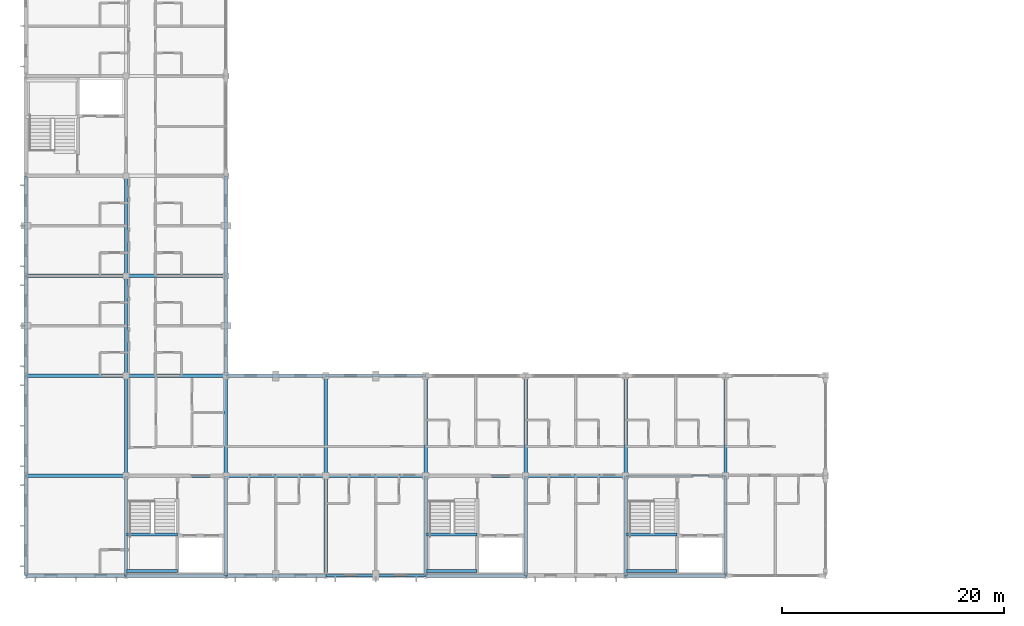
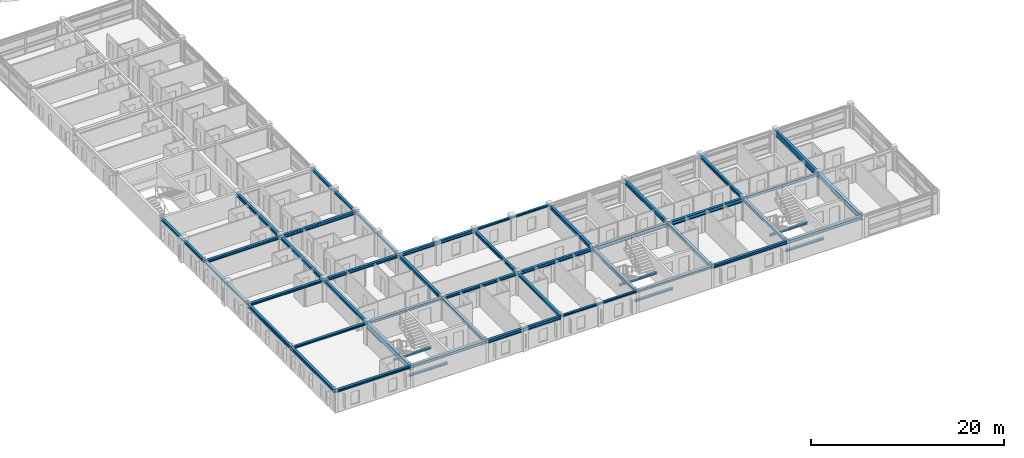
# One storey, part 8 of 37: 48 beams.
"""IFC4 building model written with IfcOpenShell, lengths in metres."""

from ifc_helpers import new_model, si_unit, direction, frame, origin, origin_2d, place, context, subcontext, project, spatial, i_section, extrude, material, material_profile, profile_set, type_object, element, save


model = new_model("IFC4")

# Units and contexts
model_context = context("Model", 3, precision=1e-05, world=origin(), true_north=direction((0.0, 1.0)))
body_context = subcontext(model_context, "Body", "Model", "MODEL_VIEW")
ifc_project = project(units=[si_unit("LENGTHUNIT", "METRE"), si_unit("AREAUNIT", "SQUARE_METRE"), si_unit("VOLUMEUNIT", "CUBIC_METRE"), si_unit("PLANEANGLEUNIT", "RADIAN"), si_unit("MASSUNIT", "GRAM", prefix="KILO")], contexts=[model_context])

# Site, building, storey
site_placement = place(None, origin())
site = spatial("IfcSite", under=ifc_project, at=site_placement, CompositionType="ELEMENT")
building_placement = place(site_placement, origin())
building = spatial("IfcBuilding", under=site, at=building_placement, Name="Palais des Congres Ocreval", CompositionType="ELEMENT")
storey_placement = place(building_placement, frame((0.0, 0.0, 11.52001953125)))
storey = spatial("IfcBuildingStorey", under=building, at=storey_placement, Name="L03", CompositionType="ELEMENT", Elevation=11.52001953125)

# Beams
ifc_material = material(Name="Steel S355", Category="steel")
ifc_material_profile_1 = material_profile(ifc_material, i_section(OverallWidth=0.169921875, OverallDepth=0.360107421875, WebThickness=0.008056640625, FlangeThickness=0.0126953125, at=origin_2d()), Name="IPE 360")
ifc_profile_set_1 = profile_set([ifc_material_profile_1], Name="Steel S355")
beam_type_1 = type_object("IfcBeamType", Name="Composite Beam IPE 360 Steel S355", PredefinedType="BEAM", material=ifc_profile_set_1)
beam_1_placement = place(storey_placement, frame((54.02001953125, 9.0, 2.60009765625), z_axis=(1.0, 0.0, 0.0), x_axis=(0.0, 1.0, 0.0)))
element("IfcBeam", 1, at=beam_1_placement, inside=storey, type_object=beam_type_1, Name="Beam B01 L03", PredefinedType="BEAM", context=body_context, shape_type="SweptSolid", body=[
    extrude(i_section(OverallWidth=0.169921875, OverallDepth=0.360107421875, WebThickness=0.008056640625, FlangeThickness=0.0126953125, at=origin_2d()), origin(), (0.0, 0.0, 1.0), 8.9599609375),
])
ifc_material_profile_2 = material_profile(ifc_material, i_section(OverallWidth=0.260009765625, OverallDepth=0.260009765625, WebThickness=0.010009765625, FlangeThickness=0.017578125, at=origin_2d()), Name="HEB 260")
ifc_profile_set_2 = profile_set([ifc_material_profile_2], Name="Steel S355")
beam_type_2 = type_object("IfcBeamType", Name="Opening Lintel HEB 260 Steel S355", PredefinedType="LINTEL", material=ifc_profile_set_2)
for number, where, z_axis, x_axis, name in (
    (2, (0.0, 18.02001953125, 2.64990234375), (0.0, 1.0, 0.0), (-1.0, 0.0, 0.0), "Girder LN01 L03"),
    (3, (18.0, 18.02001953125, 2.64990234375), (0.0, 1.0, 0.0), (-1.0, 0.0, 0.0), "Girder LN01 L03"),
):
    element("IfcBeam", number, at=place(storey_placement, frame(where, z_axis=z_axis, x_axis=x_axis)), inside=storey, type_object=beam_type_2, Name=name, PredefinedType="LINTEL", context=body_context, shape_type="SweptSolid", body=[
        extrude(i_section(OverallWidth=0.260009765625, OverallDepth=0.260009765625, WebThickness=0.010009765625, FlangeThickness=0.017578125, at=origin_2d()), origin(), (0.0, 0.0, 1.0), 8.9599609375),
    ])
for number, where, z_axis, x_axis, name in (
    (4, (9.02001953125, 0.419921875, 1.18994140625), (1.0, 0.0, 0.0), (0.0, 1.0, 0.0), "Stair Landing Support Beam ST01 L03-1"),
    (5, (9.02001953125, 3.695068359375, 1.18994140625), (1.0, 0.0, 0.0), (0.0, 1.0, 0.0), "Stair Landing Support Beam ST01 L03-2"),
    (6, (36.02001953125, 0.419921875, 1.18994140625), (1.0, 0.0, 0.0), (0.0, 1.0, 0.0), "Stair Landing Support Beam ST02 L03-1"),
    (7, (36.02001953125, 3.695068359375, 1.18994140625), (1.0, 0.0, 0.0), (0.0, 1.0, 0.0), "Stair Landing Support Beam ST02 L03-2"),
    (8, (54.02001953125, 0.419921875, 1.18994140625), (1.0, 0.0, 0.0), (0.0, 1.0, 0.0), "Stair Landing Support Beam ST04 L03-1"),
    (9, (54.02001953125, 3.695068359375, 1.18994140625), (1.0, 0.0, 0.0), (0.0, 1.0, 0.0), "Stair Landing Support Beam ST04 L03-2"),
):
    element("IfcBeam", number, at=place(storey_placement, frame(where, z_axis=z_axis, x_axis=x_axis)), inside=storey, type_object=beam_type_2, Name=name, PredefinedType="LINTEL", context=body_context, shape_type="SweptSolid", body=[
        extrude(i_section(OverallWidth=0.260009765625, OverallDepth=0.260009765625, WebThickness=0.010009765625, FlangeThickness=0.017578125, at=origin_2d()), origin(), (0.0, 0.0, 1.0), 4.60986328125),
    ])
ifc_material_profile_3 = material_profile(ifc_material, i_section(OverallWidth=0.239990234375, OverallDepth=0.22998046875, WebThickness=0.007568359375, FlangeThickness=0.011962890625, at=origin_2d()), Name="HEA 240")
ifc_profile_set_3 = profile_set([ifc_material_profile_3], Name="Steel S355")
beam_type_3 = type_object("IfcBeamType", Name="Perimeter Spandrel HEA 240 Steel S355", PredefinedType="SPANDREL", material=ifc_profile_set_3)
for number, where, z_axis, x_axis, name in (
    (10, (27.02001953125, 0.0, 2.6650390625), (1.0, 0.0, 0.0), (0.0, 1.0, 0.0), "Beam SP01 L03"),
    (11, (27.02001953125, 18.0, 2.6650390625), (1.0, 0.0, 0.0), (0.0, 1.0, 0.0), "Beam SP01 L03"),
):
    element("IfcBeam", number, at=place(storey_placement, frame(where, z_axis=z_axis, x_axis=x_axis)), inside=storey, type_object=beam_type_3, Name=name, PredefinedType="SPANDREL", context=body_context, shape_type="SweptSolid", body=[
        extrude(i_section(OverallWidth=0.239990234375, OverallDepth=0.22998046875, WebThickness=0.007568359375, FlangeThickness=0.011962890625, at=origin_2d()), origin(), (0.0, 0.0, 1.0), 8.9599609375),
    ])
ifc_material_profile_4 = material_profile(ifc_material, i_section(OverallWidth=0.300048828125, OverallDepth=0.300048828125, WebThickness=0.010986328125, FlangeThickness=0.01904296875, at=origin_2d()), Name="HEB 300")
ifc_profile_set_4 = profile_set([ifc_material_profile_4], Name="Steel S355")
beam_type_4 = type_object("IfcBeamType", Name="Perimeter Spandrel HEB 300 Steel S355", PredefinedType="SPANDREL", material=ifc_profile_set_4)
for number, where, z_axis, x_axis, name in (
    (12, (0.02001953125, 0.0, 2.6298828125), (1.0, 0.0, 0.0), (0.0, 1.0, 0.0), "Beam SP02 L03"),
    (13, (0.02001953125, 18.0, 2.6298828125), (1.0, 0.0, 0.0), (0.0, 1.0, 0.0), "Beam SP02 L03"),
    (14, (0.0, 27.02001953125, 2.6298828125), (0.0, 1.0, 0.0), (-1.0, 0.0, 0.0), "Girder SP02 L03"),
    (15, (18.0, 27.02001953125, 2.6298828125), (0.0, 1.0, 0.0), (-1.0, 0.0, 0.0), "Girder SP02 L03"),
    (16, (36.02001953125, 0.0, 2.6298828125), (1.0, 0.0, 0.0), (0.0, 1.0, 0.0), "Beam SP02 L03"),
):
    element("IfcBeam", number, at=place(storey_placement, frame(where, z_axis=z_axis, x_axis=x_axis)), inside=storey, type_object=beam_type_4, Name=name, PredefinedType="SPANDREL", context=body_context, shape_type="SweptSolid", body=[
        extrude(i_section(OverallWidth=0.300048828125, OverallDepth=0.300048828125, WebThickness=0.010986328125, FlangeThickness=0.01904296875, at=origin_2d()), origin(), (0.0, 0.0, 1.0), 8.9599609375),
    ])
ifc_material_profile_5 = material_profile(ifc_material, i_section(OverallWidth=0.300048828125, OverallDepth=0.360107421875, WebThickness=0.012451171875, FlangeThickness=0.0224609375, at=origin_2d()), Name="HEB 360")
ifc_profile_set_5 = profile_set([ifc_material_profile_5], Name="Steel S355")
beam_type_5 = type_object("IfcBeamType", Name="Perimeter Spandrel HEB 360 Steel S355", PredefinedType="SPANDREL", material=ifc_profile_set_5)
for number, where, z_axis, x_axis, name in (
    (17, (0.0, 0.02001953125, 2.60009765625), (0.0, 1.0, 0.0), (-1.0, 0.0, 0.0), "Girder SP03 L03"),
    (18, (9.02001953125, 0.0, 2.60009765625), (1.0, 0.0, 0.0), (0.0, 1.0, 0.0), "Beam SP03 L03"),
    (19, (9.02001953125, 18.0, 2.60009765625), (1.0, 0.0, 0.0), (0.0, 1.0, 0.0), "Beam SP03 L03"),
    (20, (18.0, 0.02001953125, 2.60009765625), (0.0, 1.0, 0.0), (-1.0, 0.0, 0.0), "Girder SP03 L03"),
    (21, (45.02001953125, 0.0, 2.60009765625), (1.0, 0.0, 0.0), (0.0, 1.0, 0.0), "Beam SP03 L03"),
    (22, (54.0, 0.02001953125, 2.60009765625), (0.0, 1.0, 0.0), (-1.0, 0.0, 0.0), "Girder SP03 L03"),
):
    element("IfcBeam", number, at=place(storey_placement, frame(where, z_axis=z_axis, x_axis=x_axis)), inside=storey, type_object=beam_type_5, Name=name, PredefinedType="SPANDREL", context=body_context, shape_type="SweptSolid", body=[
        extrude(i_section(OverallWidth=0.300048828125, OverallDepth=0.360107421875, WebThickness=0.012451171875, FlangeThickness=0.0224609375, at=origin_2d()), origin(), (0.0, 0.0, 1.0), 8.9599609375),
    ])
ifc_material_profile_6 = material_profile(ifc_material, i_section(OverallWidth=0.300048828125, OverallDepth=0.39990234375, WebThickness=0.013427734375, FlangeThickness=0.02392578125, at=origin_2d()), Name="HEB 400")
ifc_profile_set_6 = profile_set([ifc_material_profile_6], Name="Steel S355")
beam_type_6 = type_object("IfcBeamType", Name="Perimeter Spandrel HEB 400 Steel S355", PredefinedType="SPANDREL", material=ifc_profile_set_6)
for number, where, z_axis, x_axis, name in (
    (23, (0.0, 9.02001953125, 2.580078125), (0.0, 1.0, 0.0), (-1.0, 0.0, 0.0), "Girder SP04 L03"),
    (24, (18.02001953125, 0.0, 2.580078125), (1.0, 0.0, 0.0), (0.0, 1.0, 0.0), "Beam SP04 L03"),
    (25, (18.0, 9.02001953125, 2.580078125), (0.0, 1.0, 0.0), (-1.0, 0.0, 0.0), "Girder SP04 L03"),
    (26, (18.02001953125, 18.0, 2.580078125), (1.0, 0.0, 0.0), (0.0, 1.0, 0.0), "Beam SP04 L03"),
    (27, (54.02001953125, 0.0, 2.580078125), (1.0, 0.0, 0.0), (0.0, 1.0, 0.0), "Beam SP04 L03"),
    (28, (54.0, 9.02001953125, 2.580078125), (0.0, 1.0, 0.0), (-1.0, 0.0, 0.0), "Girder SP04 L03"),
):
    element("IfcBeam", number, at=place(storey_placement, frame(where, z_axis=z_axis, x_axis=x_axis)), inside=storey, type_object=beam_type_6, Name=name, PredefinedType="SPANDREL", context=body_context, shape_type="SweptSolid", body=[
        extrude(i_section(OverallWidth=0.300048828125, OverallDepth=0.39990234375, WebThickness=0.013427734375, FlangeThickness=0.02392578125, at=origin_2d()), origin(), (0.0, 0.0, 1.0), 8.9599609375),
    ])
ifc_material_profile_7 = material_profile(ifc_material, i_section(OverallWidth=0.280029296875, OverallDepth=0.27001953125, WebThickness=0.008056640625, FlangeThickness=0.012939453125, at=origin_2d()), Name="HEA 280")
ifc_profile_set_7 = profile_set([ifc_material_profile_7], Name="Steel S355")
beam_type_7 = type_object("IfcBeamType", Name="Primary Beam HEA 280 Steel S355", PredefinedType="BEAM", material=ifc_profile_set_7)
beam_2_placement = place(storey_placement, frame((0.02001953125, 9.0, 2.64501953125), z_axis=(1.0, 0.0, 0.0), x_axis=(0.0, 1.0, 0.0)))
element("IfcBeam", 29, at=beam_2_placement, inside=storey, type_object=beam_type_7, Name="Beam B07 L03", PredefinedType="BEAM", context=body_context, shape_type="SweptSolid", body=[
    extrude(i_section(OverallWidth=0.280029296875, OverallDepth=0.27001953125, WebThickness=0.008056640625, FlangeThickness=0.012939453125, at=origin_2d()), origin(), (0.0, 0.0, 1.0), 8.9599609375),
])
ifc_material_profile_8 = material_profile(ifc_material, i_section(OverallWidth=0.300048828125, OverallDepth=0.2900390625, WebThickness=0.008544921875, FlangeThickness=0.013916015625, at=origin_2d()), Name="HEA 300")
ifc_profile_set_8 = profile_set([ifc_material_profile_8], Name="Steel S355")
beam_type_8 = type_object("IfcBeamType", Name="Primary Beam HEA 300 Steel S355", PredefinedType="BEAM", material=ifc_profile_set_8)
for number, where, z_axis, x_axis, name in (
    (30, (9.02001953125, 9.0, 2.635009765625), (1.0, 0.0, 0.0), (0.0, 1.0, 0.0), "Beam B08 L03"),
    (31, (9.0, 9.02001953125, 2.635009765625), (0.0, 1.0, 0.0), (-1.0, 0.0, 0.0), "Girder B08 L03"),
):
    element("IfcBeam", number, at=place(storey_placement, frame(where, z_axis=z_axis, x_axis=x_axis)), inside=storey, type_object=beam_type_8, Name=name, PredefinedType="BEAM", context=body_context, shape_type="SweptSolid", body=[
        extrude(i_section(OverallWidth=0.300048828125, OverallDepth=0.2900390625, WebThickness=0.008544921875, FlangeThickness=0.013916015625, at=origin_2d()), origin(), (0.0, 0.0, 1.0), 8.9599609375),
    ])
ifc_material_profile_9 = material_profile(ifc_material, i_section(OverallWidth=0.300048828125, OverallDepth=0.330078125, WebThickness=0.009521484375, FlangeThickness=0.0166015625, at=origin_2d()), Name="HEA 340")
ifc_profile_set_9 = profile_set([ifc_material_profile_9], Name="Steel S355")
beam_type_9 = type_object("IfcBeamType", Name="Primary Beam HEA 340 Steel S355", PredefinedType="BEAM", material=ifc_profile_set_9)
for number, where, z_axis, x_axis, name in (
    (32, (0.02001953125, 27.0, 2.614990234375), (1.0, 0.0, 0.0), (0.0, 1.0, 0.0), "Beam B09 L03"),
    (33, (9.0, 18.02001953125, 2.614990234375), (0.0, 1.0, 0.0), (-1.0, 0.0, 0.0), "Girder B09 L03"),
    (34, (18.02001953125, 9.0, 2.614990234375), (1.0, 0.0, 0.0), (0.0, 1.0, 0.0), "Beam B09 L03"),
    (35, (27.0, 0.02001953125, 2.614990234375), (0.0, 1.0, 0.0), (-1.0, 0.0, 0.0), "Girder B09 L03"),
):
    element("IfcBeam", number, at=place(storey_placement, frame(where, z_axis=z_axis, x_axis=x_axis)), inside=storey, type_object=beam_type_9, Name=name, PredefinedType="BEAM", context=body_context, shape_type="SweptSolid", body=[
        extrude(i_section(OverallWidth=0.300048828125, OverallDepth=0.330078125, WebThickness=0.009521484375, FlangeThickness=0.0166015625, at=origin_2d()), origin(), (0.0, 0.0, 1.0), 8.9599609375),
    ])
ifc_material_profile_10 = material_profile(ifc_material, i_section(OverallWidth=0.300048828125, OverallDepth=0.389892578125, WebThickness=0.010986328125, FlangeThickness=0.01904296875, at=origin_2d()), Name="HEA 400")
ifc_profile_set_10 = profile_set([ifc_material_profile_10], Name="Steel S355")
beam_type_10 = type_object("IfcBeamType", Name="Primary Beam HEA 400 Steel S355", PredefinedType="BEAM", material=ifc_profile_set_10)
for number, where, z_axis, x_axis, name in (
    (36, (9.02001953125, 27.0, 2.5849609375), (1.0, 0.0, 0.0), (0.0, 1.0, 0.0), "Beam B10 L03"),
    (37, (9.0, 27.02001953125, 2.5849609375), (0.0, 1.0, 0.0), (-1.0, 0.0, 0.0), "Girder B10 L03"),
    (38, (27.02001953125, 9.0, 2.5849609375), (1.0, 0.0, 0.0), (0.0, 1.0, 0.0), "Beam B10 L03"),
    (39, (27.0, 9.02001953125, 2.5849609375), (0.0, 1.0, 0.0), (-1.0, 0.0, 0.0), "Girder B10 L03"),
    (40, (36.0, 0.02001953125, 2.5849609375), (0.0, 1.0, 0.0), (-1.0, 0.0, 0.0), "Girder B10 L03"),
):
    element("IfcBeam", number, at=place(storey_placement, frame(where, z_axis=z_axis, x_axis=x_axis)), inside=storey, type_object=beam_type_10, Name=name, PredefinedType="BEAM", context=body_context, shape_type="SweptSolid", body=[
        extrude(i_section(OverallWidth=0.300048828125, OverallDepth=0.389892578125, WebThickness=0.010986328125, FlangeThickness=0.01904296875, at=origin_2d()), origin(), (0.0, 0.0, 1.0), 8.9599609375),
    ])
ifc_material_profile_11 = material_profile(ifc_material, i_section(OverallWidth=0.300048828125, OverallDepth=0.43994140625, WebThickness=0.011474609375, FlangeThickness=0.02099609375, at=origin_2d()), Name="HEA 450")
ifc_profile_set_11 = profile_set([ifc_material_profile_11], Name="Steel S355")
beam_type_11 = type_object("IfcBeamType", Name="Primary Beam HEA 450 Steel S355", PredefinedType="BEAM", material=ifc_profile_set_11)
for number, where, z_axis, x_axis, name in (
    (41, (36.02001953125, 9.0, 2.56005859375), (1.0, 0.0, 0.0), (0.0, 1.0, 0.0), "Beam B11 L03"),
    (42, (36.0, 9.02001953125, 2.56005859375), (0.0, 1.0, 0.0), (-1.0, 0.0, 0.0), "Girder B11 L03"),
    (43, (45.0, 0.02001953125, 2.56005859375), (0.0, 1.0, 0.0), (-1.0, 0.0, 0.0), "Girder B11 L03"),
):
    element("IfcBeam", number, at=place(storey_placement, frame(where, z_axis=z_axis, x_axis=x_axis)), inside=storey, type_object=beam_type_11, Name=name, PredefinedType="BEAM", context=body_context, shape_type="SweptSolid", body=[
        extrude(i_section(OverallWidth=0.300048828125, OverallDepth=0.43994140625, WebThickness=0.011474609375, FlangeThickness=0.02099609375, at=origin_2d()), origin(), (0.0, 0.0, 1.0), 8.9599609375),
    ])
ifc_material_profile_12 = material_profile(ifc_material, i_section(OverallWidth=0.300048828125, OverallDepth=0.489990234375, WebThickness=0.011962890625, FlangeThickness=0.02294921875, at=origin_2d()), Name="HEA 500")
ifc_profile_set_12 = profile_set([ifc_material_profile_12], Name="Steel S355")
beam_type_12 = type_object("IfcBeamType", Name="Primary Beam HEA 500 Steel S355", PredefinedType="BEAM", material=ifc_profile_set_12)
for number, where, z_axis, x_axis, name in (
    (44, (45.02001953125, 9.0, 2.534912109375), (1.0, 0.0, 0.0), (0.0, 1.0, 0.0), "Beam B12 L03"),
    (45, (45.0, 9.02001953125, 2.534912109375), (0.0, 1.0, 0.0), (-1.0, 0.0, 0.0), "Girder B12 L03"),
):
    element("IfcBeam", number, at=place(storey_placement, frame(where, z_axis=z_axis, x_axis=x_axis)), inside=storey, type_object=beam_type_12, Name=name, PredefinedType="BEAM", context=body_context, shape_type="SweptSolid", body=[
        extrude(i_section(OverallWidth=0.300048828125, OverallDepth=0.489990234375, WebThickness=0.011962890625, FlangeThickness=0.02294921875, at=origin_2d()), origin(), (0.0, 0.0, 1.0), 8.9599609375),
    ])
ifc_material_profile_13 = material_profile(ifc_material, i_section(OverallWidth=0.300048828125, OverallDepth=0.590087890625, WebThickness=0.012939453125, FlangeThickness=0.02490234375, at=origin_2d()), Name="HEA 600")
ifc_profile_set_13 = profile_set([ifc_material_profile_13], Name="Steel S355")
beam_type_13 = type_object("IfcBeamType", Name="Primary Girder HEA 600 Steel S355", PredefinedType="BEAM", material=ifc_profile_set_13)
beam_3_placement = place(storey_placement, frame((63.0, 0.02001953125, 2.48486328125), z_axis=(0.0, 1.0, 0.0), x_axis=(-1.0, 0.0, 0.0)))
element("IfcBeam", 46, at=beam_3_placement, inside=storey, type_object=beam_type_13, Name="Girder B13 L03", PredefinedType="BEAM", context=body_context, shape_type="SweptSolid", body=[
    extrude(i_section(OverallWidth=0.300048828125, OverallDepth=0.590087890625, WebThickness=0.012939453125, FlangeThickness=0.02490234375, at=origin_2d()), origin(), (0.0, 0.0, 1.0), 8.9599609375),
])
ifc_material_profile_14 = material_profile(ifc_material, i_section(OverallWidth=0.300048828125, OverallDepth=0.68994140625, WebThickness=0.014404296875, FlangeThickness=0.027099609375, at=origin_2d()), Name="HEA 700")
ifc_profile_set_14 = profile_set([ifc_material_profile_14], Name="Steel S355")
beam_type_14 = type_object("IfcBeamType", Name="Primary Girder HEA 700 Steel S355", PredefinedType="BEAM", material=ifc_profile_set_14)
for number, where, z_axis, x_axis, name in (
    (47, (9.0, 0.02001953125, 2.43505859375), (0.0, 1.0, 0.0), (-1.0, 0.0, 0.0), "Girder B14 L03"),
    (48, (63.0, 9.02001953125, 2.43505859375), (0.0, 1.0, 0.0), (-1.0, 0.0, 0.0), "Girder B14 L03"),
):
    element("IfcBeam", number, at=place(storey_placement, frame(where, z_axis=z_axis, x_axis=x_axis)), inside=storey, type_object=beam_type_14, Name=name, PredefinedType="BEAM", context=body_context, shape_type="SweptSolid", body=[
        extrude(i_section(OverallWidth=0.300048828125, OverallDepth=0.68994140625, WebThickness=0.014404296875, FlangeThickness=0.027099609375, at=origin_2d()), origin(), (0.0, 0.0, 1.0), 8.9599609375),
    ])

save(model, "model.ifc")
